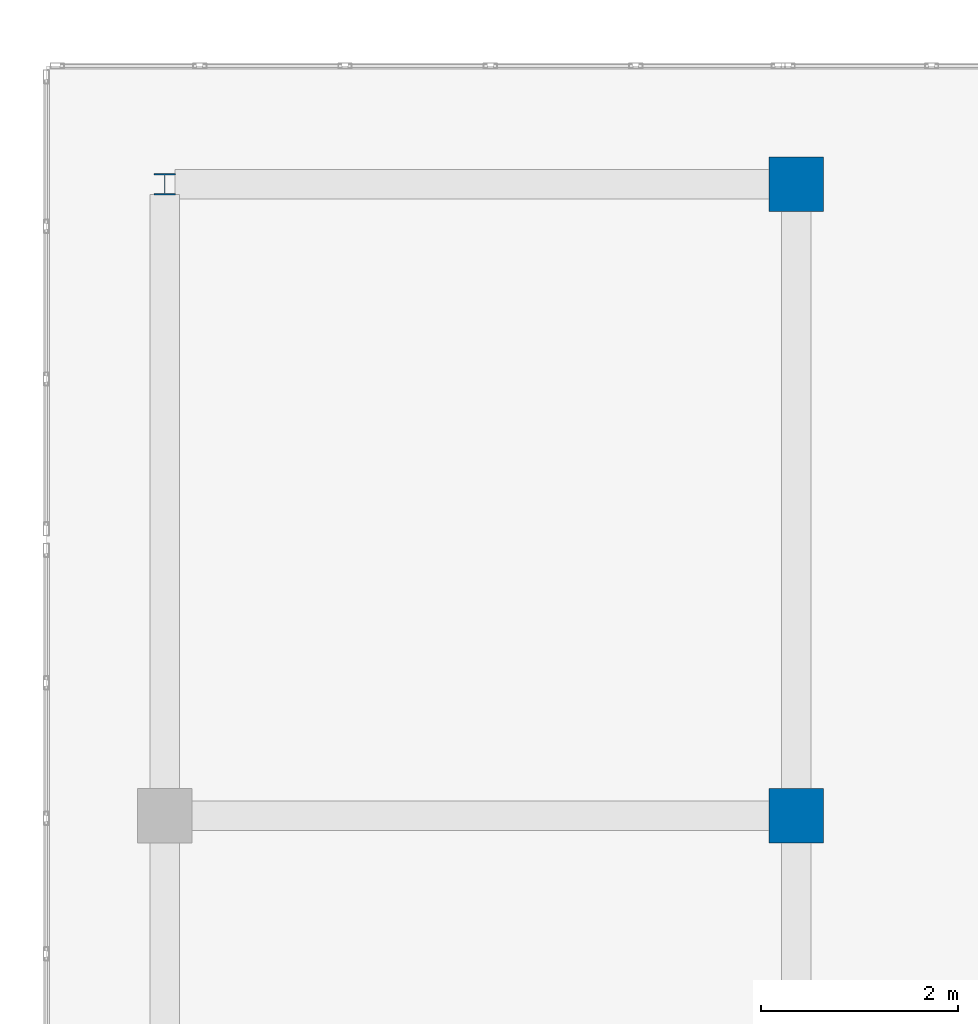
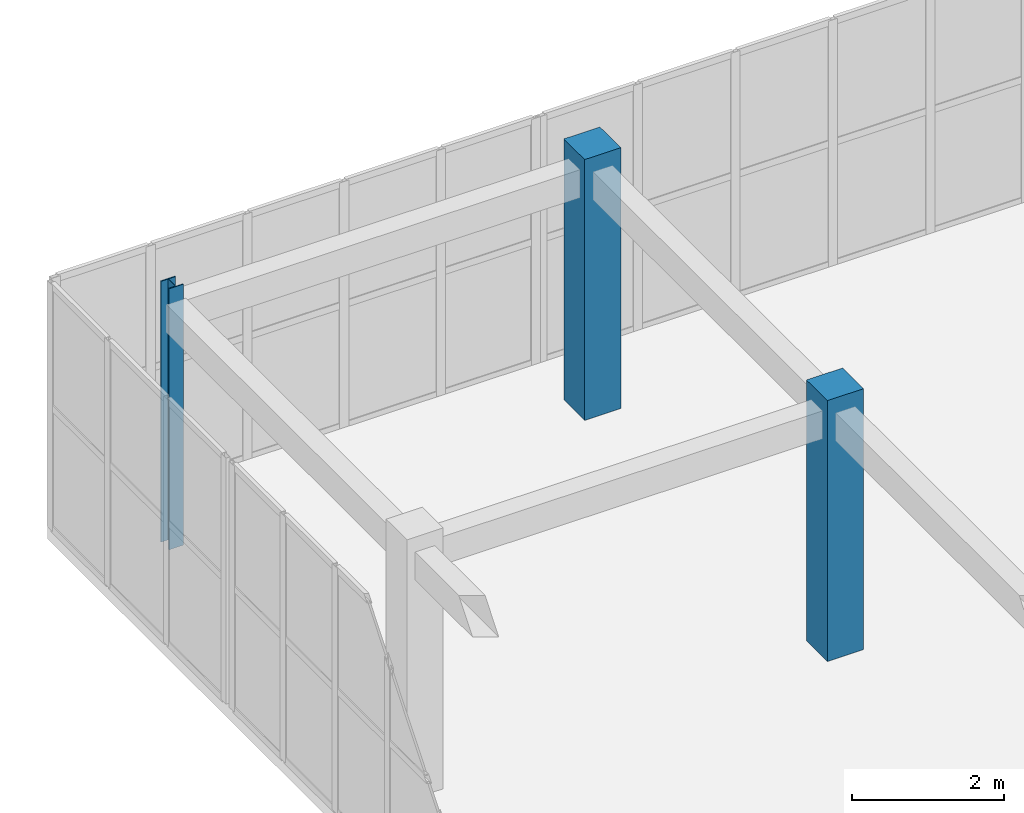
# One storey, part 8 of 140: 3 columns.
"""IFC4 building model written with IfcOpenShell, lengths in metres."""

from ifc_helpers import new_model, si_unit, direction, frame, origin, origin_2d, place, context, subcontext, project, spatial, rectangle, i_section, extrude, material, material_profile, profile_set, type_object, element, save


model = new_model("IFC4")

# Units and contexts
model_context = context("Model", 3, precision=1e-05, world=origin(), true_north=direction((0.0, 1.0)))
body_context = subcontext(model_context, "Body", "Model", "MODEL_VIEW")
ifc_project = project(units=[si_unit("LENGTHUNIT", "METRE"), si_unit("AREAUNIT", "SQUARE_METRE"), si_unit("VOLUMEUNIT", "CUBIC_METRE"), si_unit("PLANEANGLEUNIT", "RADIAN"), si_unit("MASSUNIT", "GRAM", prefix="KILO")], contexts=[model_context])

# Site, building, storey
site_placement = place(None, origin())
site = spatial("IfcSite", under=ifc_project, at=site_placement, CompositionType="ELEMENT")
building_placement = place(site_placement, origin())
building = spatial("IfcBuilding", under=site, at=building_placement, Name="Trelvath General Hospital", CompositionType="ELEMENT")
storey_placement = place(building_placement, frame((0.0, 0.0, 16.199951171875)))
storey = spatial("IfcBuildingStorey", under=building, at=storey_placement, Name="L04", CompositionType="ELEMENT", Elevation=16.199951171875)

# Columns
ifc_material_1 = material(Name="Concrete C40/50", Category="concrete")
ifc_material_profile_1 = material_profile(ifc_material_1, rectangle(XDim=0.550048828125, YDim=0.550048828125, at=origin_2d()), Name="RC550x550")
ifc_profile_set_1 = profile_set([ifc_material_profile_1], Name="Concrete C40/50")
column_type_1 = type_object("IfcColumnType", Name="Column RC550", PredefinedType="COLUMN", material=ifc_profile_set_1)
for number, where, z_axis, x_axis, name in (
    (1, (60.800048828125, 72.800048828125, 0.0), (0.0, 0.0, 1.0), (1.0, 0.0, 0.0), "Cube Interior Column CC-W19 L04"),
    (2, (60.800048828125, 79.199951171875, 0.0), (0.0, 0.0, 1.0), (1.0, 0.0, 0.0), "Cube Interior Column CC-W20 L04"),
):
    element("IfcColumn", number, at=place(storey_placement, frame(where, z_axis=z_axis, x_axis=x_axis)), inside=storey, type_object=column_type_1, Name=name, PredefinedType="COLUMN", context=body_context, shape_type="SweptSolid", body=[
        extrude(rectangle(XDim=0.550048828125, YDim=0.550048828125, at=origin_2d()), origin(), (0.0, 0.0, 1.0), 4.199951171875),
    ])
ifc_material_2 = material(Name="Steel S355", Category="steel")
ifc_material_profile_2 = material_profile(ifc_material_2, i_section(OverallWidth=0.219970703125, OverallDepth=0.219970703125, WebThickness=0.009521484375, FlangeThickness=0.01611328125, at=origin_2d()), Name="HEB220")
ifc_profile_set_2 = profile_set([ifc_material_profile_2], Name="Steel S355")
column_type_2 = type_object("IfcColumnType", Name="CubePost HEB220", PredefinedType="COLUMN", material=ifc_profile_set_2)
column_placement = place(storey_placement, frame((54.39990234375, 79.199951171875, 0.0), z_axis=(0.0, 0.0, 1.0), x_axis=(1.0, 0.0, 0.0)))
element("IfcColumn", 3, at=column_placement, inside=storey, type_object=column_type_2, Name="Cube Interior Column CC-W15 L04", PredefinedType="COLUMN", context=body_context, shape_type="SweptSolid", body=[
    extrude(i_section(OverallWidth=0.219970703125, OverallDepth=0.219970703125, WebThickness=0.009521484375, FlangeThickness=0.01611328125, at=origin_2d()), origin(), (0.0, 0.0, 1.0), 4.199951171875),
])

save(model, "model.ifc")
